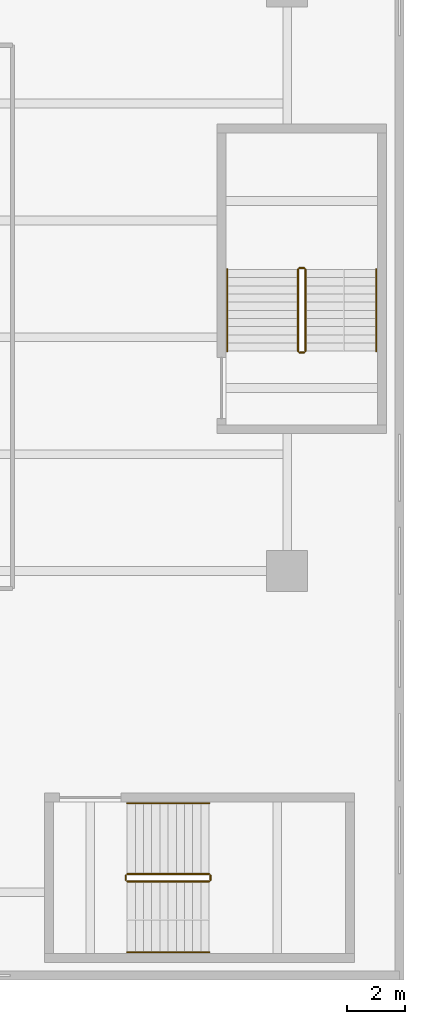
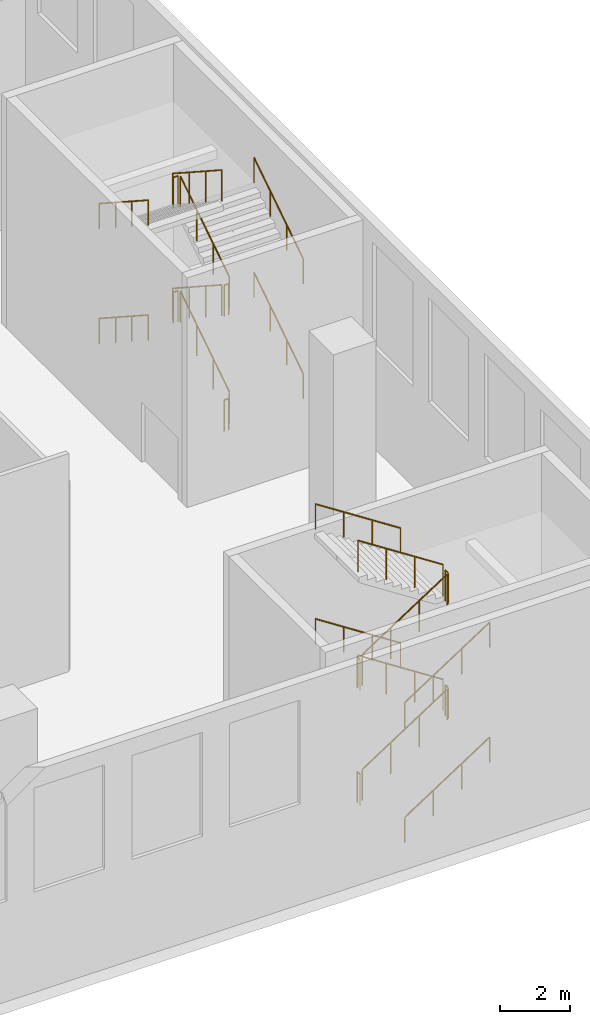
# One storey, part 23 of 27: 24 railings.
"""IFC4 building model written with IfcOpenShell, lengths in metres."""

from ifc_helpers import new_model, si_unit, direction, frame, origin, origin_2d, place, context, subcontext, project, spatial, circle, extrude, material, type_object, element, save


model = new_model("IFC4")

# Units and contexts
model_context = context("Model", 3, precision=1e-05, world=origin(), true_north=direction((0.0, 1.0)))
body_context = subcontext(model_context, "Body", "Model", "MODEL_VIEW")
ifc_project = project(units=[si_unit("LENGTHUNIT", "METRE"), si_unit("AREAUNIT", "SQUARE_METRE"), si_unit("VOLUMEUNIT", "CUBIC_METRE"), si_unit("PLANEANGLEUNIT", "RADIAN"), si_unit("MASSUNIT", "GRAM", prefix="KILO")], contexts=[model_context])

# Site, building, storey
site_placement = place(None, origin())
site = spatial("IfcSite", under=ifc_project, at=site_placement, CompositionType="ELEMENT")
building_placement = place(site_placement, origin())
building = spatial("IfcBuilding", under=site, at=building_placement, Name="Tel Ilan Convention Tower", CompositionType="ELEMENT")
storey_placement = place(building_placement, frame((0.0, 0.0, 18.0)))
storey = spatial("IfcBuildingStorey", under=building, at=storey_placement, Name="L02", CompositionType="ELEMENT", Elevation=18.0)

# Railings
ifc_material_1 = material(Name="Stainless Steel Grade 316", Category="steel")
railing_type_1 = type_object("IfcRailingType", Name="Stainless Steel Stair Guard 1100 mm", PredefinedType="GUARDRAIL", material=ifc_material_1)
railing_1_placement = place(storey_placement, frame((40.52490234375, -78.625, 0.181884765625)))
element("IfcRailing", 1, at=railing_1_placement, inside=storey, type_object=railing_type_1, Name="L02 P4 stair guard 1", PredefinedType="GUARDRAIL", context=body_context, shape_type="SweptSolid", body=[
    extrude(circle(Radius=0.02392578125, at=origin_2d()), frame((0.0, 0.0, 1.076171875), z_axis=(0.838705829183, 0.0, 0.544584733623), x_axis=(0.0, 1.0, 0.0)), (0.0, 0.0, 1.0), 3.338623046875),
    extrude(circle(Radius=0.02099609375, at=origin_2d()), origin(), (0.0, 0.0, 1.0), 1.052001953125),
    extrude(circle(Radius=0.02099609375, at=origin_2d()), frame((0.933349609375, 0.0, 0.60595703125)), (0.0, 0.0, 1.0), 1.052001953125),
    extrude(circle(Radius=0.02099609375, at=origin_2d()), frame((1.86669921875, 0.0, 1.212158203125)), (0.0, 0.0, 1.0), 1.052001953125),
    extrude(circle(Radius=0.02099609375, at=origin_2d()), frame((2.800048828125, 0.0, 1.818115234375)), (0.0, 0.0, 1.0), 1.052001953125),
])
railing_2_placement = place(storey_placement, frame((43.375, -78.574951171875, 2.0)))
element("IfcRailing", 2, at=railing_2_placement, inside=storey, type_object=railing_type_1, Name="L02 P4 stair guard 2", PredefinedType="GUARDRAIL", context=body_context, shape_type="SweptSolid", body=[
    extrude(circle(Radius=0.02392578125, at=origin_2d()), frame((0.0, 0.0, 1.076171875), z_axis=(0.0, 1.0, 0.0), x_axis=(-1.0, 0.0, 0.0)), (0.0, 0.0, 1.0), 0.14990234375),
    extrude(circle(Radius=0.02099609375, at=origin_2d()), origin(), (0.0, 0.0, 1.0), 1.052001953125),
    extrude(circle(Radius=0.02099609375, at=origin_2d()), frame((0.0, 0.14990234375, 0.0)), (0.0, 0.0, 1.0), 1.052001953125),
])
railing_3_placement = place(storey_placement, frame((43.324951171875, -78.375, 2.181884765625)))
element("IfcRailing", 3, at=railing_3_placement, inside=storey, type_object=railing_type_1, Name="L02 P4 stair guard 3", PredefinedType="GUARDRAIL", context=body_context, shape_type="SweptSolid", body=[
    extrude(circle(Radius=0.02392578125, at=origin_2d()), frame((0.0, 0.0, 1.076171875), z_axis=(-0.838705829183, 0.0, 0.544584733623), x_axis=(0.0, -1.0, 0.0)), (0.0, 0.0, 1.0), 3.338623046875),
    extrude(circle(Radius=0.02099609375, at=origin_2d()), origin(), (0.0, 0.0, 1.0), 1.052001953125),
    extrude(circle(Radius=0.02099609375, at=origin_2d()), frame((-0.933349609375, 0.0, 0.60595703125)), (0.0, 0.0, 1.0), 1.052001953125),
    extrude(circle(Radius=0.02099609375, at=origin_2d()), frame((-1.86669921875, 0.0, 1.212158203125)), (0.0, 0.0, 1.0), 1.052001953125),
    extrude(circle(Radius=0.02099609375, at=origin_2d()), frame((-2.800048828125, 0.0, 1.818115234375)), (0.0, 0.0, 1.0), 1.052001953125),
])
railing_4_placement = place(storey_placement, frame((40.47509765625, -78.574951171875, 4.0)))
element("IfcRailing", 4, at=railing_4_placement, inside=storey, type_object=railing_type_1, Name="L02 P4 stair guard 4", PredefinedType="GUARDRAIL", context=body_context, shape_type="SweptSolid", body=[
    extrude(circle(Radius=0.02392578125, at=origin_2d()), frame((0.0, 0.0, 1.076171875), z_axis=(0.0, 1.0, 0.0), x_axis=(-1.0, 0.0, 0.0)), (0.0, 0.0, 1.0), 0.14990234375),
    extrude(circle(Radius=0.02099609375, at=origin_2d()), origin(), (0.0, 0.0, 1.0), 1.052001953125),
    extrude(circle(Radius=0.02099609375, at=origin_2d()), frame((0.0, 0.14990234375, 0.0)), (0.0, 0.0, 1.0), 1.052001953125),
])
railing_5_placement = place(storey_placement, frame((40.52490234375, -78.625, 4.181884765625)))
element("IfcRailing", 5, at=railing_5_placement, inside=storey, type_object=railing_type_1, Name="L02 P4 stair guard 5", PredefinedType="GUARDRAIL", context=body_context, shape_type="SweptSolid", body=[
    extrude(circle(Radius=0.02392578125, at=origin_2d()), frame((0.0, 0.0, 1.076171875), z_axis=(0.838705829183, 0.0, 0.544584733623), x_axis=(0.0, 1.0, 0.0)), (0.0, 0.0, 1.0), 3.338623046875),
    extrude(circle(Radius=0.02099609375, at=origin_2d()), origin(), (0.0, 0.0, 1.0), 1.052001953125),
    extrude(circle(Radius=0.02099609375, at=origin_2d()), frame((0.933349609375, 0.0, 0.60595703125)), (0.0, 0.0, 1.0), 1.052001953125),
    extrude(circle(Radius=0.02099609375, at=origin_2d()), frame((1.86669921875, 0.0, 1.212158203125)), (0.0, 0.0, 1.0), 1.052001953125),
    extrude(circle(Radius=0.02099609375, at=origin_2d()), frame((2.800048828125, 0.0, 1.818115234375)), (0.0, 0.0, 1.0), 1.052001953125),
])
railing_6_placement = place(storey_placement, frame((43.375, -78.574951171875, 6.0)))
element("IfcRailing", 6, at=railing_6_placement, inside=storey, type_object=railing_type_1, Name="L02 P4 stair guard 6", PredefinedType="GUARDRAIL", context=body_context, shape_type="SweptSolid", body=[
    extrude(circle(Radius=0.02392578125, at=origin_2d()), frame((0.0, 0.0, 1.076171875), z_axis=(0.0, 1.0, 0.0), x_axis=(-1.0, 0.0, 0.0)), (0.0, 0.0, 1.0), 0.14990234375),
    extrude(circle(Radius=0.02099609375, at=origin_2d()), origin(), (0.0, 0.0, 1.0), 1.052001953125),
    extrude(circle(Radius=0.02099609375, at=origin_2d()), frame((0.0, 0.14990234375, 0.0)), (0.0, 0.0, 1.0), 1.052001953125),
])
railing_7_placement = place(storey_placement, frame((43.324951171875, -78.375, 6.181884765625)))
element("IfcRailing", 7, at=railing_7_placement, inside=storey, type_object=railing_type_1, Name="L02 P4 stair guard 7", PredefinedType="GUARDRAIL", context=body_context, shape_type="SweptSolid", body=[
    extrude(circle(Radius=0.02392578125, at=origin_2d()), frame((0.0, 0.0, 1.076171875), z_axis=(-0.838705829183, 0.0, 0.544584733623), x_axis=(0.0, -1.0, 0.0)), (0.0, 0.0, 1.0), 3.338623046875),
    extrude(circle(Radius=0.02099609375, at=origin_2d()), origin(), (0.0, 0.0, 1.0), 1.052001953125),
    extrude(circle(Radius=0.02099609375, at=origin_2d()), frame((-0.933349609375, 0.0, 0.60595703125)), (0.0, 0.0, 1.0), 1.052001953125),
    extrude(circle(Radius=0.02099609375, at=origin_2d()), frame((-1.86669921875, 0.0, 1.212158203125)), (0.0, 0.0, 1.0), 1.052001953125),
    extrude(circle(Radius=0.02099609375, at=origin_2d()), frame((-2.800048828125, 0.0, 1.818115234375)), (0.0, 0.0, 1.0), 1.052001953125),
])
railing_8_placement = place(storey_placement, frame((40.47509765625, -78.574951171875, 0.0)))
element("IfcRailing", 8, at=railing_8_placement, inside=storey, type_object=railing_type_1, Name="L02 P4 stair guard 8", PredefinedType="GUARDRAIL", context=body_context, shape_type="SweptSolid", body=[
    extrude(circle(Radius=0.02392578125, at=origin_2d()), frame((0.0, 0.0, 1.076171875), z_axis=(0.0, 1.0, 0.0), x_axis=(-1.0, 0.0, 0.0)), (0.0, 0.0, 1.0), 0.14990234375),
    extrude(circle(Radius=0.02099609375, at=origin_2d()), origin(), (0.0, 0.0, 1.0), 1.052001953125),
    extrude(circle(Radius=0.02099609375, at=origin_2d()), frame((0.0, 0.14990234375, 0.0)), (0.0, 0.0, 1.0), 1.052001953125),
])
railing_9_placement = place(storey_placement, frame((46.625, -60.47509765625, 0.181884765625)))
element("IfcRailing", 9, at=railing_9_placement, inside=storey, type_object=railing_type_1, Name="L02 P6 stair guard 1", PredefinedType="GUARDRAIL", context=body_context, shape_type="SweptSolid", body=[
    extrude(circle(Radius=0.02392578125, at=origin_2d()), frame((0.0, 0.0, 1.076171875), z_axis=(0.0, 0.838705829183, 0.544584733623), x_axis=(-1.0, 0.0, 0.0)), (0.0, 0.0, 1.0), 3.338623046875),
    extrude(circle(Radius=0.02099609375, at=origin_2d()), origin(), (0.0, 0.0, 1.0), 1.052001953125),
    extrude(circle(Radius=0.02099609375, at=origin_2d()), frame((0.0, 0.933349609375, 0.60595703125)), (0.0, 0.0, 1.0), 1.052001953125),
    extrude(circle(Radius=0.02099609375, at=origin_2d()), frame((0.0, 1.86669921875, 1.212158203125)), (0.0, 0.0, 1.0), 1.052001953125),
    extrude(circle(Radius=0.02099609375, at=origin_2d()), frame((0.0, 2.800048828125, 1.818115234375)), (0.0, 0.0, 1.0), 1.052001953125),
])
railing_10_placement = place(storey_placement, frame((46.574951171875, -57.625, 2.0)))
element("IfcRailing", 10, at=railing_10_placement, inside=storey, type_object=railing_type_1, Name="L02 P6 stair guard 2", PredefinedType="GUARDRAIL", context=body_context, shape_type="SweptSolid", body=[
    extrude(circle(Radius=0.02392578125, at=origin_2d()), frame((0.0, 0.0, 1.076171875), z_axis=(-1.0, 0.0, 0.0), x_axis=(0.0, -1.0, 0.0)), (0.0, 0.0, 1.0), 0.14990234375),
    extrude(circle(Radius=0.02099609375, at=origin_2d()), origin(), (0.0, 0.0, 1.0), 1.052001953125),
    extrude(circle(Radius=0.02099609375, at=origin_2d()), frame((-0.14990234375, 0.0, 0.0)), (0.0, 0.0, 1.0), 1.052001953125),
])
railing_11_placement = place(storey_placement, frame((46.375, -57.675048828125, 2.181884765625)))
element("IfcRailing", 11, at=railing_11_placement, inside=storey, type_object=railing_type_1, Name="L02 P6 stair guard 3", PredefinedType="GUARDRAIL", context=body_context, shape_type="SweptSolid", body=[
    extrude(circle(Radius=0.02392578125, at=origin_2d()), frame((0.0, 0.0, 1.076171875), z_axis=(0.0, -0.838705829183, 0.544584733623), x_axis=(1.0, 0.0, 0.0)), (0.0, 0.0, 1.0), 3.338623046875),
    extrude(circle(Radius=0.02099609375, at=origin_2d()), origin(), (0.0, 0.0, 1.0), 1.052001953125),
    extrude(circle(Radius=0.02099609375, at=origin_2d()), frame((0.0, -0.933349609375, 0.60595703125)), (0.0, 0.0, 1.0), 1.052001953125),
    extrude(circle(Radius=0.02099609375, at=origin_2d()), frame((0.0, -1.86669921875, 1.212158203125)), (0.0, 0.0, 1.0), 1.052001953125),
    extrude(circle(Radius=0.02099609375, at=origin_2d()), frame((0.0, -2.800048828125, 1.818115234375)), (0.0, 0.0, 1.0), 1.052001953125),
])
railing_12_placement = place(storey_placement, frame((46.574951171875, -60.52490234375, 4.0)))
element("IfcRailing", 12, at=railing_12_placement, inside=storey, type_object=railing_type_1, Name="L02 P6 stair guard 4", PredefinedType="GUARDRAIL", context=body_context, shape_type="SweptSolid", body=[
    extrude(circle(Radius=0.02392578125, at=origin_2d()), frame((0.0, 0.0, 1.076171875), z_axis=(-1.0, 0.0, 0.0), x_axis=(0.0, -1.0, 0.0)), (0.0, 0.0, 1.0), 0.14990234375),
    extrude(circle(Radius=0.02099609375, at=origin_2d()), origin(), (0.0, 0.0, 1.0), 1.052001953125),
    extrude(circle(Radius=0.02099609375, at=origin_2d()), frame((-0.14990234375, 0.0, 0.0)), (0.0, 0.0, 1.0), 1.052001953125),
])
railing_13_placement = place(storey_placement, frame((46.625, -60.47509765625, 4.181884765625)))
element("IfcRailing", 13, at=railing_13_placement, inside=storey, type_object=railing_type_1, Name="L02 P6 stair guard 5", PredefinedType="GUARDRAIL", context=body_context, shape_type="SweptSolid", body=[
    extrude(circle(Radius=0.02392578125, at=origin_2d()), frame((0.0, 0.0, 1.076171875), z_axis=(0.0, 0.838705829183, 0.544584733623), x_axis=(-1.0, 0.0, 0.0)), (0.0, 0.0, 1.0), 3.338623046875),
    extrude(circle(Radius=0.02099609375, at=origin_2d()), origin(), (0.0, 0.0, 1.0), 1.052001953125),
    extrude(circle(Radius=0.02099609375, at=origin_2d()), frame((0.0, 0.933349609375, 0.60595703125)), (0.0, 0.0, 1.0), 1.052001953125),
    extrude(circle(Radius=0.02099609375, at=origin_2d()), frame((0.0, 1.86669921875, 1.212158203125)), (0.0, 0.0, 1.0), 1.052001953125),
    extrude(circle(Radius=0.02099609375, at=origin_2d()), frame((0.0, 2.800048828125, 1.818115234375)), (0.0, 0.0, 1.0), 1.052001953125),
])
railing_14_placement = place(storey_placement, frame((46.574951171875, -57.625, 6.0)))
element("IfcRailing", 14, at=railing_14_placement, inside=storey, type_object=railing_type_1, Name="L02 P6 stair guard 6", PredefinedType="GUARDRAIL", context=body_context, shape_type="SweptSolid", body=[
    extrude(circle(Radius=0.02392578125, at=origin_2d()), frame((0.0, 0.0, 1.076171875), z_axis=(-1.0, 0.0, 0.0), x_axis=(0.0, -1.0, 0.0)), (0.0, 0.0, 1.0), 0.14990234375),
    extrude(circle(Radius=0.02099609375, at=origin_2d()), origin(), (0.0, 0.0, 1.0), 1.052001953125),
    extrude(circle(Radius=0.02099609375, at=origin_2d()), frame((-0.14990234375, 0.0, 0.0)), (0.0, 0.0, 1.0), 1.052001953125),
])
railing_15_placement = place(storey_placement, frame((46.375, -57.675048828125, 6.181884765625)))
element("IfcRailing", 15, at=railing_15_placement, inside=storey, type_object=railing_type_1, Name="L02 P6 stair guard 7", PredefinedType="GUARDRAIL", context=body_context, shape_type="SweptSolid", body=[
    extrude(circle(Radius=0.02392578125, at=origin_2d()), frame((0.0, 0.0, 1.076171875), z_axis=(0.0, -0.838705829183, 0.544584733623), x_axis=(1.0, 0.0, 0.0)), (0.0, 0.0, 1.0), 3.338623046875),
    extrude(circle(Radius=0.02099609375, at=origin_2d()), origin(), (0.0, 0.0, 1.0), 1.052001953125),
    extrude(circle(Radius=0.02099609375, at=origin_2d()), frame((0.0, -0.933349609375, 0.60595703125)), (0.0, 0.0, 1.0), 1.052001953125),
    extrude(circle(Radius=0.02099609375, at=origin_2d()), frame((0.0, -1.86669921875, 1.212158203125)), (0.0, 0.0, 1.0), 1.052001953125),
    extrude(circle(Radius=0.02099609375, at=origin_2d()), frame((0.0, -2.800048828125, 1.818115234375)), (0.0, 0.0, 1.0), 1.052001953125),
])
railing_16_placement = place(storey_placement, frame((46.574951171875, -60.52490234375, 0.0)))
element("IfcRailing", 16, at=railing_16_placement, inside=storey, type_object=railing_type_1, Name="L02 P6 stair guard 8", PredefinedType="GUARDRAIL", context=body_context, shape_type="SweptSolid", body=[
    extrude(circle(Radius=0.02392578125, at=origin_2d()), frame((0.0, 0.0, 1.076171875), z_axis=(-1.0, 0.0, 0.0), x_axis=(0.0, -1.0, 0.0)), (0.0, 0.0, 1.0), 0.14990234375),
    extrude(circle(Radius=0.02099609375, at=origin_2d()), origin(), (0.0, 0.0, 1.0), 1.052001953125),
    extrude(circle(Radius=0.02099609375, at=origin_2d()), frame((-0.14990234375, 0.0, 0.0)), (0.0, 0.0, 1.0), 1.052001953125),
])
ifc_material_2 = material(Name="Stainless Steel Grade 316", Category="steel")
railing_type_2 = type_object("IfcRailingType", Name="Stainless Steel Stair Handrail 900 mm", PredefinedType="HANDRAIL", material=ifc_material_2)
railing_17_placement = place(storey_placement, frame((40.52490234375, -81.050048828125, 0.181884765625)))
element("IfcRailing", 17, at=railing_17_placement, inside=storey, type_object=railing_type_2, Name="L02 P4 stair handrail 1", PredefinedType="HANDRAIL", context=body_context, shape_type="SweptSolid", body=[
    extrude(circle(Radius=0.02392578125, at=origin_2d()), frame((0.0, 0.0, 0.8759765625), z_axis=(0.838705829183, 0.0, 0.544584733623), x_axis=(0.0, 1.0, 0.0)), (0.0, 0.0, 1.0), 3.338623046875),
    extrude(circle(Radius=0.02099609375, at=origin_2d()), origin(), (0.0, 0.0, 1.0), 0.851806640625),
    extrude(circle(Radius=0.02099609375, at=origin_2d()), frame((0.933349609375, 0.0, 0.60595703125)), (0.0, 0.0, 1.0), 0.851806640625),
    extrude(circle(Radius=0.02099609375, at=origin_2d()), frame((1.86669921875, 0.0, 1.212158203125)), (0.0, 0.0, 1.0), 0.851806640625),
    extrude(circle(Radius=0.02099609375, at=origin_2d()), frame((2.800048828125, 0.0, 1.818115234375)), (0.0, 0.0, 1.0), 0.851806640625),
])
railing_18_placement = place(storey_placement, frame((43.324951171875, -75.949951171875, 2.181884765625)))
element("IfcRailing", 18, at=railing_18_placement, inside=storey, type_object=railing_type_2, Name="L02 P4 stair handrail 2", PredefinedType="HANDRAIL", context=body_context, shape_type="SweptSolid", body=[
    extrude(circle(Radius=0.02392578125, at=origin_2d()), frame((0.0, 0.0, 0.8759765625), z_axis=(-0.838705829183, 0.0, 0.544584733623), x_axis=(0.0, -1.0, 0.0)), (0.0, 0.0, 1.0), 3.338623046875),
    extrude(circle(Radius=0.02099609375, at=origin_2d()), origin(), (0.0, 0.0, 1.0), 0.851806640625),
    extrude(circle(Radius=0.02099609375, at=origin_2d()), frame((-0.933349609375, 0.0, 0.60595703125)), (0.0, 0.0, 1.0), 0.851806640625),
    extrude(circle(Radius=0.02099609375, at=origin_2d()), frame((-1.86669921875, 0.0, 1.212158203125)), (0.0, 0.0, 1.0), 0.851806640625),
    extrude(circle(Radius=0.02099609375, at=origin_2d()), frame((-2.800048828125, 0.0, 1.818115234375)), (0.0, 0.0, 1.0), 0.851806640625),
])
railing_19_placement = place(storey_placement, frame((40.52490234375, -81.050048828125, 4.181884765625)))
element("IfcRailing", 19, at=railing_19_placement, inside=storey, type_object=railing_type_2, Name="L02 P4 stair handrail 3", PredefinedType="HANDRAIL", context=body_context, shape_type="SweptSolid", body=[
    extrude(circle(Radius=0.02392578125, at=origin_2d()), frame((0.0, 0.0, 0.8759765625), z_axis=(0.838705829183, 0.0, 0.544584733623), x_axis=(0.0, 1.0, 0.0)), (0.0, 0.0, 1.0), 3.338623046875),
    extrude(circle(Radius=0.02099609375, at=origin_2d()), origin(), (0.0, 0.0, 1.0), 0.851806640625),
    extrude(circle(Radius=0.02099609375, at=origin_2d()), frame((0.933349609375, 0.0, 0.60595703125)), (0.0, 0.0, 1.0), 0.851806640625),
    extrude(circle(Radius=0.02099609375, at=origin_2d()), frame((1.86669921875, 0.0, 1.212158203125)), (0.0, 0.0, 1.0), 0.851806640625),
    extrude(circle(Radius=0.02099609375, at=origin_2d()), frame((2.800048828125, 0.0, 1.818115234375)), (0.0, 0.0, 1.0), 0.851806640625),
])
railing_20_placement = place(storey_placement, frame((43.324951171875, -75.949951171875, 6.181884765625)))
element("IfcRailing", 20, at=railing_20_placement, inside=storey, type_object=railing_type_2, Name="L02 P4 stair handrail 4", PredefinedType="HANDRAIL", context=body_context, shape_type="SweptSolid", body=[
    extrude(circle(Radius=0.02392578125, at=origin_2d()), frame((0.0, 0.0, 0.8759765625), z_axis=(-0.838705829183, 0.0, 0.544584733623), x_axis=(0.0, -1.0, 0.0)), (0.0, 0.0, 1.0), 3.338623046875),
    extrude(circle(Radius=0.02099609375, at=origin_2d()), origin(), (0.0, 0.0, 1.0), 0.851806640625),
    extrude(circle(Radius=0.02099609375, at=origin_2d()), frame((-0.933349609375, 0.0, 0.60595703125)), (0.0, 0.0, 1.0), 0.851806640625),
    extrude(circle(Radius=0.02099609375, at=origin_2d()), frame((-1.86669921875, 0.0, 1.212158203125)), (0.0, 0.0, 1.0), 0.851806640625),
    extrude(circle(Radius=0.02099609375, at=origin_2d()), frame((-2.800048828125, 0.0, 1.818115234375)), (0.0, 0.0, 1.0), 0.851806640625),
])
railing_21_placement = place(storey_placement, frame((49.050048828125, -60.47509765625, 0.181884765625)))
element("IfcRailing", 21, at=railing_21_placement, inside=storey, type_object=railing_type_2, Name="L02 P6 stair handrail 1", PredefinedType="HANDRAIL", context=body_context, shape_type="SweptSolid", body=[
    extrude(circle(Radius=0.02392578125, at=origin_2d()), frame((0.0, 0.0, 0.8759765625), z_axis=(0.0, 0.838705829183, 0.544584733623), x_axis=(-1.0, 0.0, 0.0)), (0.0, 0.0, 1.0), 3.338623046875),
    extrude(circle(Radius=0.02099609375, at=origin_2d()), origin(), (0.0, 0.0, 1.0), 0.851806640625),
    extrude(circle(Radius=0.02099609375, at=origin_2d()), frame((0.0, 0.933349609375, 0.60595703125)), (0.0, 0.0, 1.0), 0.851806640625),
    extrude(circle(Radius=0.02099609375, at=origin_2d()), frame((0.0, 1.86669921875, 1.212158203125)), (0.0, 0.0, 1.0), 0.851806640625),
    extrude(circle(Radius=0.02099609375, at=origin_2d()), frame((0.0, 2.800048828125, 1.818115234375)), (0.0, 0.0, 1.0), 0.851806640625),
])
railing_22_placement = place(storey_placement, frame((43.949951171875, -57.675048828125, 2.181884765625)))
element("IfcRailing", 22, at=railing_22_placement, inside=storey, type_object=railing_type_2, Name="L02 P6 stair handrail 2", PredefinedType="HANDRAIL", context=body_context, shape_type="SweptSolid", body=[
    extrude(circle(Radius=0.02392578125, at=origin_2d()), frame((0.0, 0.0, 0.8759765625), z_axis=(0.0, -0.838705829183, 0.544584733623), x_axis=(1.0, 0.0, 0.0)), (0.0, 0.0, 1.0), 3.338623046875),
    extrude(circle(Radius=0.02099609375, at=origin_2d()), origin(), (0.0, 0.0, 1.0), 0.851806640625),
    extrude(circle(Radius=0.02099609375, at=origin_2d()), frame((0.0, -0.933349609375, 0.60595703125)), (0.0, 0.0, 1.0), 0.851806640625),
    extrude(circle(Radius=0.02099609375, at=origin_2d()), frame((0.0, -1.86669921875, 1.212158203125)), (0.0, 0.0, 1.0), 0.851806640625),
    extrude(circle(Radius=0.02099609375, at=origin_2d()), frame((0.0, -2.800048828125, 1.818115234375)), (0.0, 0.0, 1.0), 0.851806640625),
])
railing_23_placement = place(storey_placement, frame((49.050048828125, -60.47509765625, 4.181884765625)))
element("IfcRailing", 23, at=railing_23_placement, inside=storey, type_object=railing_type_2, Name="L02 P6 stair handrail 3", PredefinedType="HANDRAIL", context=body_context, shape_type="SweptSolid", body=[
    extrude(circle(Radius=0.02392578125, at=origin_2d()), frame((0.0, 0.0, 0.8759765625), z_axis=(0.0, 0.838705829183, 0.544584733623), x_axis=(-1.0, 0.0, 0.0)), (0.0, 0.0, 1.0), 3.338623046875),
    extrude(circle(Radius=0.02099609375, at=origin_2d()), origin(), (0.0, 0.0, 1.0), 0.851806640625),
    extrude(circle(Radius=0.02099609375, at=origin_2d()), frame((0.0, 0.933349609375, 0.60595703125)), (0.0, 0.0, 1.0), 0.851806640625),
    extrude(circle(Radius=0.02099609375, at=origin_2d()), frame((0.0, 1.86669921875, 1.212158203125)), (0.0, 0.0, 1.0), 0.851806640625),
    extrude(circle(Radius=0.02099609375, at=origin_2d()), frame((0.0, 2.800048828125, 1.818115234375)), (0.0, 0.0, 1.0), 0.851806640625),
])
railing_24_placement = place(storey_placement, frame((43.949951171875, -57.675048828125, 6.181884765625)))
element("IfcRailing", 24, at=railing_24_placement, inside=storey, type_object=railing_type_2, Name="L02 P6 stair handrail 4", PredefinedType="HANDRAIL", context=body_context, shape_type="SweptSolid", body=[
    extrude(circle(Radius=0.02392578125, at=origin_2d()), frame((0.0, 0.0, 0.8759765625), z_axis=(0.0, -0.838705829183, 0.544584733623), x_axis=(1.0, 0.0, 0.0)), (0.0, 0.0, 1.0), 3.338623046875),
    extrude(circle(Radius=0.02099609375, at=origin_2d()), origin(), (0.0, 0.0, 1.0), 0.851806640625),
    extrude(circle(Radius=0.02099609375, at=origin_2d()), frame((0.0, -0.933349609375, 0.60595703125)), (0.0, 0.0, 1.0), 0.851806640625),
    extrude(circle(Radius=0.02099609375, at=origin_2d()), frame((0.0, -1.86669921875, 1.212158203125)), (0.0, 0.0, 1.0), 0.851806640625),
    extrude(circle(Radius=0.02099609375, at=origin_2d()), frame((0.0, -2.800048828125, 1.818115234375)), (0.0, 0.0, 1.0), 0.851806640625),
])

save(model, "model.ifc")
